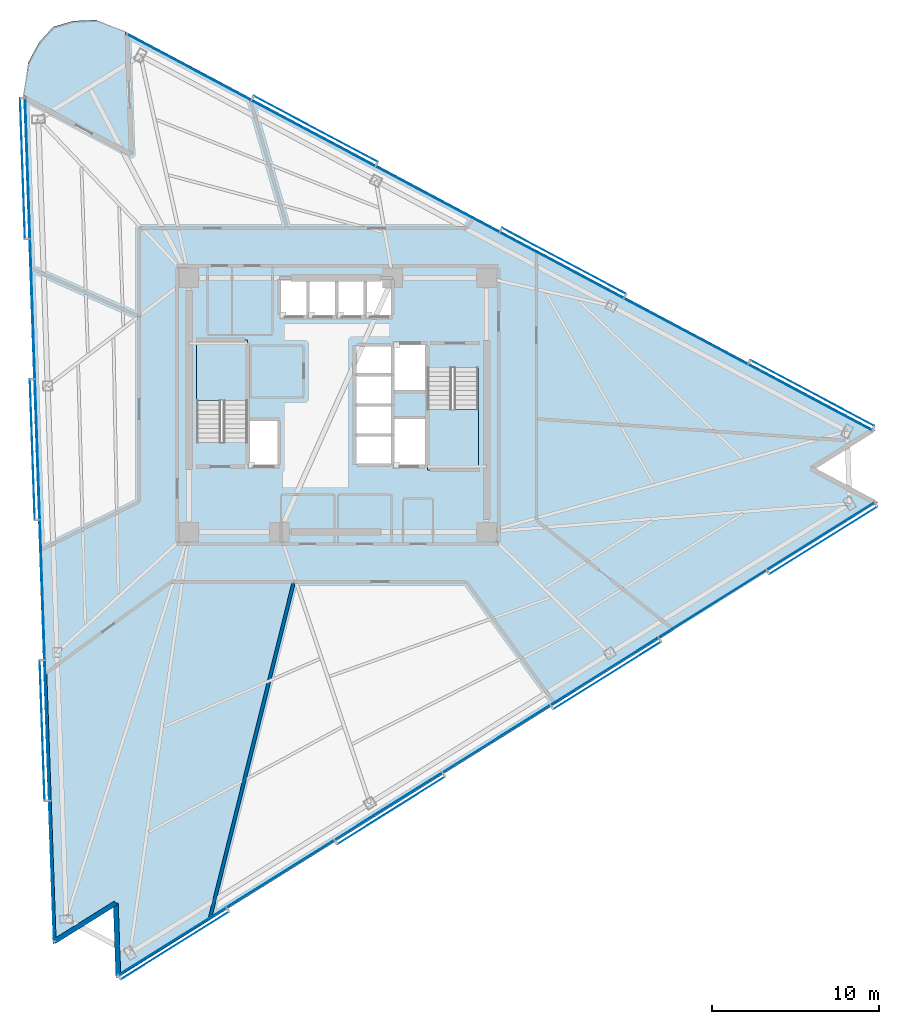
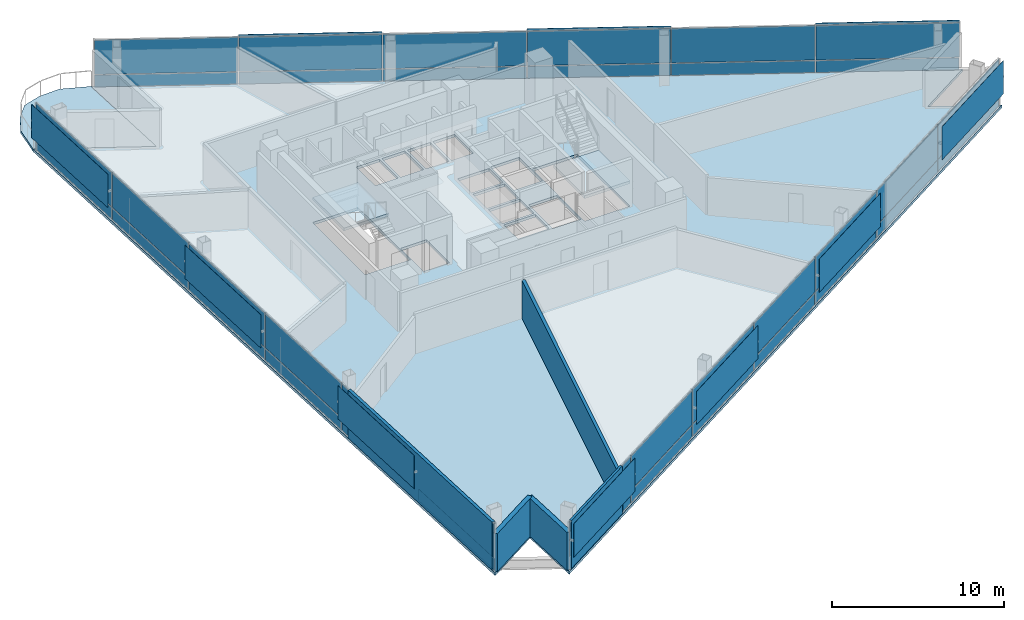
# One storey, part 11 of 21: 48 plates, 5 walls, 4 slabs, 5 elements without a shape of their own.
"""IFC4 building model written with IfcOpenShell, lengths in metres."""

import ifcopenshell
import ifcopenshell.guid

model = None  # the IFC model being written
_history = None  # IfcOwnerHistory: only IFC2X3 demands one
_inside = {}  # id of a spatial element -> (the spatial element, [elements in it])
_under = {}  # id of a project, library or spatial element -> (it, [spatial elements below it])
_declared = {}  # id of a project -> (the project, [libraries it declares])
_typed = {}  # id of a type object -> (the type object, [elements of that type])
_made_of = {}  # id of a material, layer set ... -> (it, [elements and type objects made of it])


def new_model(schema):
    """Start an empty IFC model of exactly this schema.

    Asked for "IFC4X3", IfcOpenShell would pick the latest addendum, in which some entities
    have other attributes; the version numbers below select the first issue.
    IFC2X3 requires an IfcOwnerHistory on every rooted entity: one is made here for all.
    """
    global model, _history
    if schema == "IFC4X3":
        model = ifcopenshell.file(schema_version=(4, 3, 0, 0))
    else:
        model = ifcopenshell.file(schema=schema)
    _inside.clear()
    _under.clear()
    _declared.clear()
    _typed.clear()
    _made_of.clear()
    _history = None
    if model.schema == "IFC2X3":
        org = make("IfcOrganization", Name="unknown")
        user = make(
            "IfcPersonAndOrganization",
            ThePerson=make("IfcPerson", FamilyName="unknown"),
            TheOrganization=org,
        )
        app = make(
            "IfcApplication",
            ApplicationDeveloper=org,
            Version="unknown",
            ApplicationFullName="unknown",
            ApplicationIdentifier="unknown",
        )
        _history = make(
            "IfcOwnerHistory",
            OwningUser=user,
            OwningApplication=app,
            ChangeAction="ADDED",
            CreationDate=0,
        )
    return model


def make(cls, **values):
    """One entity of the class cls with the attributes given. An attribute that is None is left unset."""
    return model.create_entity(
        cls, **{name: value for name, value in values.items() if value is not None}
    )


def rooted(cls, **values):
    """An entity with a GlobalId (a new one), such as an element, a storey or a relation."""
    return make(cls, GlobalId=ifcopenshell.guid.new(), OwnerHistory=_history, **values)


def si_unit(unit_type, name, prefix=None):
    """IfcSIUnit, for example si_unit("LENGTHUNIT", "METRE", prefix="MILLI")."""
    return make("IfcSIUnit", UnitType=unit_type, Prefix=prefix, Name=name)


def assignment(units):
    """IfcUnitAssignment: the units of a project."""
    return None if units is None else make("IfcUnitAssignment", Units=units)


def point(xyz):
    """IfcCartesianPoint."""
    return None if xyz is None else make("IfcCartesianPoint", Coordinates=xyz)


def direction(xyz):
    """IfcDirection."""
    return None if xyz is None else make("IfcDirection", DirectionRatios=xyz)


def frame(location, z_axis=None, x_axis=None):
    """IfcAxis2Placement3D, a coordinate frame: its origin and axes. An axis left out is left unset."""
    return make(
        "IfcAxis2Placement3D",
        Location=point(location),
        Axis=direction(z_axis),
        RefDirection=direction(x_axis),
    )


def frame_2d(location, x_axis=None):
    """IfcAxis2Placement2D, a coordinate frame in the plane: its origin and x axis."""
    return make(
        "IfcAxis2Placement2D", Location=point(location), RefDirection=direction(x_axis)
    )


def origin():
    """The frame at (0, 0, 0) with its axes left unset."""
    return frame((0.0, 0.0, 0.0))


def origin_2d():
    """The frame at (0, 0) in the plane with its x axis left unset."""
    return frame_2d((0.0, 0.0))


def place(relative_to, where):
    """IfcLocalPlacement: puts the frame where relative to a parent placement (None: the world)."""
    return make(
        "IfcLocalPlacement", PlacementRelTo=relative_to, RelativePlacement=where
    )


def context(
    kind, dimensions, precision=None, world=None, true_north=None, identifier=None
):
    """IfcGeometricRepresentationContext, for example the 3D "Model" context."""
    return make(
        "IfcGeometricRepresentationContext",
        ContextIdentifier=identifier,
        ContextType=kind,
        CoordinateSpaceDimension=dimensions,
        Precision=precision,
        WorldCoordinateSystem=world,
        TrueNorth=true_north,
    )


def subcontext(parent, identifier, kind, view, scale=None):
    """IfcGeometricRepresentationSubContext, for example "Body" below "Model"."""
    return make(
        "IfcGeometricRepresentationSubContext",
        ContextIdentifier=identifier,
        ContextType=kind,
        ParentContext=parent,
        TargetScale=scale,
        TargetView=view,
    )


def project(units=None, contexts=None):
    """IfcProject with its units and contexts."""
    return rooted(
        "IfcProject",
        Name="project",
        RepresentationContexts=contexts,
        UnitsInContext=assignment(units),
    )


def spatial(cls, under=None, at=None, **own):
    """A site, building, storey or space (cls), placed at a placement, below another one or the project."""
    s = rooted(cls, ObjectPlacement=at, **own)
    if under is not None:
        _under.setdefault(under.id(), (under, []))[1].append(s)
    return s


def polyline(points):
    """IfcPolyline through the points."""
    return make("IfcPolyline", Points=[point(p) for p in points])


def profile(cls, at=None, kind="AREA", **sizes):
    """A parametric profile (cls). Its sizes go by their IFC names, for example OverallWidth=200.0."""
    return make(cls, ProfileType=kind, Position=at, **sizes)


def rectangle(**sizes):
    """IfcRectangleProfileDef."""
    return profile("IfcRectangleProfileDef", **sizes)


def outline(outer, holes=None, kind="AREA"):
    """IfcArbitraryClosedProfileDef: a profile drawn as a closed curve; with holes, ...WithVoids."""
    if holes is None:
        return make("IfcArbitraryClosedProfileDef", ProfileType=kind, OuterCurve=outer)
    return make(
        "IfcArbitraryProfileDefWithVoids",
        ProfileType=kind,
        OuterCurve=outer,
        InnerCurves=holes,
    )


def extrude(swept, where, along, depth):
    """IfcExtrudedAreaSolid: the profile swept, set in the frame where, extruded along a direction by depth."""
    return make(
        "IfcExtrudedAreaSolid",
        SweptArea=swept,
        Position=where,
        ExtrudedDirection=direction(along),
        Depth=depth,
    )


def shape(context_of_items, identifier, shape_type, items):
    """IfcShapeRepresentation: the items that make up one representation, for example the "Body"."""
    return make(
        "IfcShapeRepresentation",
        ContextOfItems=context_of_items,
        RepresentationIdentifier=identifier,
        RepresentationType=shape_type,
        Items=items,
    )


def material(Name=None, Category=None):
    """IfcMaterial."""
    return make("IfcMaterial", Name=Name, Category=Category)


def layer(
    of_material, thickness, ventilated=None, Name=None, Category=None, Priority=None
):
    """IfcMaterialLayer: one layer of a wall or slab, of a material (None: an air gap)."""
    return make(
        "IfcMaterialLayer",
        Material=of_material,
        LayerThickness=thickness,
        IsVentilated=ventilated,
        Name=Name,
        Category=Category,
        Priority=Priority,
    )


def layer_set(layers, Name=None):
    """IfcMaterialLayerSet."""
    return make("IfcMaterialLayerSet", MaterialLayers=layers, LayerSetName=Name)


def made_of(thing, what):
    """Note that an element or type object is made of a material, layer set ...; save() writes the relation."""
    if what is not None:
        _made_of.setdefault(what.id(), (what, []))[1].append(thing)
    return thing


def type_object(cls, material=None, **own):
    """A type object (cls), such as IfcWallType, which elements share."""
    return made_of(rooted(cls, **own), material)


def element(
    cls,
    number,
    at=None,
    inside=None,
    cuts=None,
    type_object=None,
    material=None,
    context=None,
    identifier="Body",
    shape_type=None,
    held_by="IfcProductDefinitionShape",
    body=None,
    shapes=None,
    **own,
):
    """One element of the class cls, such as IfcWall. Its Tag is "e" and its number.

    at: its placement. inside: the storey or other place that contains it. cuts: it is an
    opening in that element (IfcRelVoidsElement). A single representation is given by context,
    identifier, shape_type and body (its items); several are given by shapes. held_by: the class
    of the entity that holds the representations. save() writes the other relations.
    """
    e = rooted(cls, Tag="e%d" % number, ObjectPlacement=at, **own)
    if body is not None:
        shapes = [shape(context, identifier, shape_type, body)]
    if shapes is not None:
        e.Representation = make(held_by, Representations=shapes)
    if inside is not None:
        _inside.setdefault(inside.id(), (inside, []))[1].append(e)
    if cuts is not None:
        rooted(
            "IfcRelVoidsElement", RelatingBuildingElement=cuts, RelatedOpeningElement=e
        )
    if type_object is not None:
        _typed.setdefault(type_object.id(), (type_object, []))[1].append(e)
    return made_of(e, material)


def aggregate(whole, parts):
    """IfcRelAggregates: a whole, such as a stair, and the parts it consists of."""
    return rooted("IfcRelAggregates", RelatingObject=whole, RelatedObjects=parts)


def save(model, path):
    """Write the relations noted so far, then the file.

    IfcRelAggregates (storeys below a building ...), IfcRelContainedInSpatialStructure (elements
    in a storey), IfcRelDefinesByType, IfcRelAssociatesMaterial and IfcRelDeclares: one each for
    every whole, place, type object, material and project.
    """
    for whole, parts in _under.values():
        aggregate(whole, parts)
    for where, things in _inside.values():
        rooted(
            "IfcRelContainedInSpatialStructure",
            RelatedElements=things,
            RelatingStructure=where,
        )
    for kind, things in _typed.values():
        rooted("IfcRelDefinesByType", RelatedObjects=things, RelatingType=kind)
    for what, things in _made_of.values():
        rooted("IfcRelAssociatesMaterial", RelatedObjects=things, RelatingMaterial=what)
    for by, libraries in _declared.values():
        rooted("IfcRelDeclares", RelatingContext=by, RelatedDefinitions=libraries)
    model.write(path)


model = new_model("IFC4")

# Units and contexts
model_context = context("Model", 3, precision=1e-05, world=origin(), true_north=direction((0.0, 1.0)))
body_context = subcontext(model_context, "Body", "Model", "MODEL_VIEW")
ifc_project = project(units=[si_unit("LENGTHUNIT", "METRE"), si_unit("AREAUNIT", "SQUARE_METRE"), si_unit("VOLUMEUNIT", "CUBIC_METRE"), si_unit("PLANEANGLEUNIT", "RADIAN"), si_unit("MASSUNIT", "GRAM", prefix="KILO")], contexts=[model_context])

# Site, building, storey
site_placement = place(None, origin())
site = spatial("IfcSite", under=ifc_project, at=site_placement, CompositionType="ELEMENT")
building_placement = place(site_placement, origin())
building = spatial("IfcBuilding", under=site, at=building_placement, Name="Tharavind Bronze Gate", CompositionType="ELEMENT")
storey_placement = place(building_placement, frame((0.0, 0.0, 142.39990234375)))
storey = spatial("IfcBuildingStorey", under=building, at=storey_placement, Name="L36", CompositionType="ELEMENT", Elevation=142.39990234375)

# Plates
ifc_material_1 = material(Name="Perforated Bronze Alloy", Category="bronze")
ifc_layer_1 = layer(ifc_material_1, 0.011962890625)
ifc_layer_set_1 = layer_set([ifc_layer_1], Name="Perforated Bronze Alloy")
plate_type_1 = type_object("IfcPlateType", Name="BRONZE PERFORATED SOLAR SCREEN", PredefinedType="USERDEFINED", material=ifc_layer_set_1)
for number, where, z_axis, x_axis, name in (
    (1, (-18.867919921875, 14.1494140625, 0.966552734375), (0.0, 0.0, 1.0), (0.034899496703, -0.999390827019, 0.0), "CW-L36-S1 perforated bronze solar screen 1"),
    (2, (-18.280517578125, -2.66943359375, 0.966552734375), (0.0, 0.0, 1.0), (0.034899496703, -0.999390827019, 0.0), "CW-L36-S1 perforated bronze solar screen 3"),
    (3, (-17.693115234375, -19.48828125, 0.966552734375), (0.0, 0.0, 1.0), (0.034899496703, -0.999390827019, 0.0), "CW-L36-S1 perforated bronze solar screen 5"),
):
    element("IfcPlate", number, at=place(storey_placement, frame(where, z_axis=z_axis, x_axis=x_axis)), inside=storey, type_object=plate_type_1, Name=name, ObjectType="SCREEN", PredefinedType="USERDEFINED", context=body_context, shape_type="SweptSolid", body=[
        extrude(rectangle(XDim=8.39453125, YDim=0.011962890625, at=origin_2d()), origin(), (0.0, 0.0, 1.0), 2.376953125),
    ])
for number, where, z_axis, x_axis, name in (
    (4, (-9.75439453125, -32.3505859375, 0.966552734375), (0.0, 0.0, 1.0), (0.848048096156, 0.529919264233, 0.0), "CW-L36-S2 perforated bronze solar screen 1"),
    (5, (3.176513671875, -24.2705078125, 0.966552734375), (0.0, 0.0, 1.0), (0.848048096156, 0.529919264233, 0.0), "CW-L36-S2 perforated bronze solar screen 3"),
    (6, (16.107421875, -16.190185546875, 0.966552734375), (0.0, 0.0, 1.0), (0.848048096156, 0.529919264233, 0.0), "CW-L36-S2 perforated bronze solar screen 5"),
    (7, (29.0380859375, -8.110107421875, 0.966552734375), (0.0, 0.0, 1.0), (0.848048096156, 0.529919264233, 0.0), "CW-L36-S2 perforated bronze solar screen 7"),
):
    element("IfcPlate", number, at=place(storey_placement, frame(where, z_axis=z_axis, x_axis=x_axis)), inside=storey, type_object=plate_type_1, Name=name, ObjectType="SCREEN", PredefinedType="USERDEFINED", context=body_context, shape_type="SweptSolid", body=[
        extrude(rectangle(XDim=7.60400390625, YDim=0.011962890625, at=origin_2d()), origin(), (0.0, 0.0, 1.0), 2.376953125),
    ])
for number, where, z_axis, x_axis, name in (
    (8, (28.387451171875, 0.713134765625, 0.966552734375), (0.0, 0.0, 1.0), (-0.882947592859, 0.469471562786, 0.0), "CW-L36-S3 perforated bronze solar screen 1"),
    (9, (13.5283203125, 8.614013671875, 0.966552734375), (0.0, 0.0, 1.0), (-0.882947592859, 0.469471562786, 0.0), "CW-L36-S3 perforated bronze solar screen 3"),
    (10, (-1.3310546875, 16.514892578125, 0.966552734375), (0.0, 0.0, 1.0), (-0.882947592859, 0.469471562786, 0.0), "CW-L36-S3 perforated bronze solar screen 5"),
):
    element("IfcPlate", number, at=place(storey_placement, frame(where, z_axis=z_axis, x_axis=x_axis)), inside=storey, type_object=plate_type_1, Name=name, ObjectType="SCREEN", PredefinedType="USERDEFINED", context=body_context, shape_type="SweptSolid", body=[
        extrude(rectangle(XDim=8.39453125, YDim=0.011962890625, at=origin_2d()), origin(), (0.0, 0.0, 1.0), 2.376953125),
    ])

# Curtain wall, plates
ifc_material_2 = material(Name="Anodised Bronze Aluminium", Category="aluminium")
ifc_layer_2 = layer(ifc_material_2, 0.219970703125)
ifc_layer_set_2 = layer_set([ifc_layer_2], Name="Anodised Bronze Aluminium")
curtain_wall_type = type_object("IfcCurtainWallType", Name="UNITISED CURTAIN WALL MID OFFICE", PredefinedType="USERDEFINED", material=ifc_layer_set_2)
curtain_wall_1_placement = place(storey_placement, origin())
curtain_wall_1 = element("IfcCurtainWall", 11, at=curtain_wall_1_placement, inside=storey, type_object=curtain_wall_type, Name="L36 unitised curtain wall mid office CW-L36-S1", ObjectType="UNITISED CURTAIN WALL", PredefinedType="USERDEFINED")
ifc_material_3 = material(Name="Patinated Bronze Alloy Sheet", Category="bronze")
ifc_layer_3 = layer(ifc_material_3, 0.01611328125)
ifc_layer_set_3 = layer_set([ifc_layer_3], Name="Patinated Bronze Alloy Sheet")
plate_type_2 = type_object("IfcPlateType", Name="BRONZE SPANDREL CLADDING PANEL 16", PredefinedType="CURTAIN_PANEL", material=ifc_layer_set_3)
plate_1_placement = place(storey_placement, frame((-18.572998046875, 14.159912109375, 0.02685546875), z_axis=(0.0, 0.0, 1.0), x_axis=(0.034899496703, -0.999390827019, 0.0)))
plate_1 = element("IfcPlate", 12, at=plate_1_placement, type_object=plate_type_2, Name="CW-L36-S1 bronze spandrel panel 1", PredefinedType="CURTAIN_PANEL", context=body_context, shape_type="SweptSolid", body=[
    extrude(rectangle(XDim=8.361572265625, YDim=0.01611328125, at=origin_2d()), origin(), (0.0, 0.0, 1.0), 0.846923828125),
])
plate_2_placement = place(storey_placement, frame((-18.279296875, 5.750244140625, 0.02685546875), z_axis=(0.0, 0.0, 1.0), x_axis=(0.034899496703, -0.999390827019, 0.0)))
plate_2 = element("IfcPlate", 13, at=plate_2_placement, type_object=plate_type_2, Name="CW-L36-S1 bronze spandrel panel 2", PredefinedType="CURTAIN_PANEL", context=body_context, shape_type="SweptSolid", body=[
    extrude(rectangle(XDim=8.361572265625, YDim=0.01611328125, at=origin_2d()), origin(), (0.0, 0.0, 1.0), 0.846923828125),
])
plate_3_placement = place(storey_placement, frame((-17.985595703125, -2.6591796875, 0.02685546875), z_axis=(0.0, 0.0, 1.0), x_axis=(0.034899496703, -0.999390827019, 0.0)))
plate_3 = element("IfcPlate", 14, at=plate_3_placement, type_object=plate_type_2, Name="CW-L36-S1 bronze spandrel panel 3", PredefinedType="CURTAIN_PANEL", context=body_context, shape_type="SweptSolid", body=[
    extrude(rectangle(XDim=8.361572265625, YDim=0.01611328125, at=origin_2d()), origin(), (0.0, 0.0, 1.0), 0.846923828125),
])
plate_4_placement = place(storey_placement, frame((-17.69189453125, -11.068603515625, 0.02685546875), z_axis=(0.0, 0.0, 1.0), x_axis=(0.034899496703, -0.999390827019, 0.0)))
plate_4 = element("IfcPlate", 15, at=plate_4_placement, type_object=plate_type_2, Name="CW-L36-S1 bronze spandrel panel 4", PredefinedType="CURTAIN_PANEL", context=body_context, shape_type="SweptSolid", body=[
    extrude(rectangle(XDim=8.361572265625, YDim=0.01611328125, at=origin_2d()), origin(), (0.0, 0.0, 1.0), 0.846923828125),
])
plate_5_placement = place(storey_placement, frame((-17.398193359375, -19.477783203125, 0.02685546875), z_axis=(0.0, 0.0, 1.0), x_axis=(0.034899496703, -0.999390827019, 0.0)))
plate_5 = element("IfcPlate", 16, at=plate_5_placement, type_object=plate_type_2, Name="CW-L36-S1 bronze spandrel panel 5", PredefinedType="CURTAIN_PANEL", context=body_context, shape_type="SweptSolid", body=[
    extrude(rectangle(XDim=8.361572265625, YDim=0.01611328125, at=origin_2d()), origin(), (0.0, 0.0, 1.0), 0.846923828125),
])
plate_6_placement = place(storey_placement, frame((-17.1044921875, -27.887451171875, 0.02685546875), z_axis=(0.0, 0.0, 1.0), x_axis=(0.034899496703, -0.999390827019, 0.0)))
plate_6 = element("IfcPlate", 17, at=plate_6_placement, type_object=plate_type_2, Name="CW-L36-S1 bronze spandrel panel 6", PredefinedType="CURTAIN_PANEL", context=body_context, shape_type="SweptSolid", body=[
    extrude(rectangle(XDim=8.361572265625, YDim=0.01611328125, at=origin_2d()), origin(), (0.0, 0.0, 1.0), 0.846923828125),
])

curtain_wall_2_placement = place(storey_placement, origin())
curtain_wall_2 = element("IfcCurtainWall", 18, at=curtain_wall_2_placement, inside=storey, type_object=curtain_wall_type, Name="L36 unitised curtain wall mid office CW-L36-S2", ObjectType="UNITISED CURTAIN WALL", PredefinedType="USERDEFINED")
plate_7_placement = place(storey_placement, frame((-9.910888671875, -32.100341796875, 0.02685546875), z_axis=(0.0, 0.0, 1.0), x_axis=(0.848048096156, 0.529919264233, 0.0)))
plate_7 = element("IfcPlate", 19, at=plate_7_placement, type_object=plate_type_2, Name="CW-L36-S2 bronze spandrel panel 1", PredefinedType="CURTAIN_PANEL", context=body_context, shape_type="SweptSolid", body=[
    extrude(rectangle(XDim=7.57080078125, YDim=0.01611328125, at=origin_2d()), origin(), (0.0, 0.0, 1.0), 0.846923828125),
])
plate_8_placement = place(storey_placement, frame((-3.4453125, -28.060302734375, 0.02685546875), z_axis=(0.0, 0.0, 1.0), x_axis=(0.848048096156, 0.529919264233, 0.0)))
plate_8 = element("IfcPlate", 20, at=plate_8_placement, type_object=plate_type_2, Name="CW-L36-S2 bronze spandrel panel 2", PredefinedType="CURTAIN_PANEL", context=body_context, shape_type="SweptSolid", body=[
    extrude(rectangle(XDim=7.57080078125, YDim=0.01611328125, at=origin_2d()), origin(), (0.0, 0.0, 1.0), 0.846923828125),
])
plate_9_placement = place(storey_placement, frame((3.02001953125, -24.020263671875, 0.02685546875), z_axis=(0.0, 0.0, 1.0), x_axis=(0.848048096156, 0.529919264233, 0.0)))
plate_9 = element("IfcPlate", 21, at=plate_9_placement, type_object=plate_type_2, Name="CW-L36-S2 bronze spandrel panel 3", PredefinedType="CURTAIN_PANEL", context=body_context, shape_type="SweptSolid", body=[
    extrude(rectangle(XDim=7.57080078125, YDim=0.01611328125, at=origin_2d()), origin(), (0.0, 0.0, 1.0), 0.846923828125),
])
plate_10_placement = place(storey_placement, frame((9.485595703125, -19.97998046875, 0.02685546875), z_axis=(0.0, 0.0, 1.0), x_axis=(0.848048096156, 0.529919264233, 0.0)))
plate_10 = element("IfcPlate", 22, at=plate_10_placement, type_object=plate_type_2, Name="CW-L36-S2 bronze spandrel panel 4", PredefinedType="CURTAIN_PANEL", context=body_context, shape_type="SweptSolid", body=[
    extrude(rectangle(XDim=7.57080078125, YDim=0.01611328125, at=origin_2d()), origin(), (0.0, 0.0, 1.0), 0.846923828125),
])
plate_11_placement = place(storey_placement, frame((15.950927734375, -15.93994140625, 0.02685546875), z_axis=(0.0, 0.0, 1.0), x_axis=(0.848048096156, 0.529919264233, 0.0)))
plate_11 = element("IfcPlate", 23, at=plate_11_placement, type_object=plate_type_2, Name="CW-L36-S2 bronze spandrel panel 5", PredefinedType="CURTAIN_PANEL", context=body_context, shape_type="SweptSolid", body=[
    extrude(rectangle(XDim=7.57080078125, YDim=0.01611328125, at=origin_2d()), origin(), (0.0, 0.0, 1.0), 0.846923828125),
])
plate_12_placement = place(storey_placement, frame((22.41650390625, -11.89990234375, 0.02685546875), z_axis=(0.0, 0.0, 1.0), x_axis=(0.848048096156, 0.529919264233, 0.0)))
plate_12 = element("IfcPlate", 24, at=plate_12_placement, type_object=plate_type_2, Name="CW-L36-S2 bronze spandrel panel 6", PredefinedType="CURTAIN_PANEL", context=body_context, shape_type="SweptSolid", body=[
    extrude(rectangle(XDim=7.57080078125, YDim=0.01611328125, at=origin_2d()), origin(), (0.0, 0.0, 1.0), 0.846923828125),
])
plate_13_placement = place(storey_placement, frame((28.8818359375, -7.85986328125, 0.02685546875), z_axis=(0.0, 0.0, 1.0), x_axis=(0.848048096156, 0.529919264233, 0.0)))
plate_13 = element("IfcPlate", 25, at=plate_13_placement, type_object=plate_type_2, Name="CW-L36-S2 bronze spandrel panel 7", PredefinedType="CURTAIN_PANEL", context=body_context, shape_type="SweptSolid", body=[
    extrude(rectangle(XDim=7.57080078125, YDim=0.01611328125, at=origin_2d()), origin(), (0.0, 0.0, 1.0), 0.846923828125),
])

curtain_wall_3_placement = place(storey_placement, origin())
curtain_wall_3 = element("IfcCurtainWall", 26, at=curtain_wall_3_placement, inside=storey, type_object=curtain_wall_type, Name="L36 unitised curtain wall mid office CW-L36-S3", ObjectType="UNITISED CURTAIN WALL", PredefinedType="USERDEFINED")
plate_14_placement = place(storey_placement, frame((28.2490234375, 0.45263671875, 0.02685546875), z_axis=(0.0, 0.0, 1.0), x_axis=(-0.882947592859, 0.469471562786, 0.0)))
plate_14 = element("IfcPlate", 27, at=plate_14_placement, type_object=plate_type_2, Name="CW-L36-S3 bronze spandrel panel 1", PredefinedType="CURTAIN_PANEL", context=body_context, shape_type="SweptSolid", body=[
    extrude(rectangle(XDim=8.361572265625, YDim=0.01611328125, at=origin_2d()), origin(), (0.0, 0.0, 1.0), 0.846923828125),
])
plate_15_placement = place(storey_placement, frame((20.8193359375, 4.403076171875, 0.02685546875), z_axis=(0.0, 0.0, 1.0), x_axis=(-0.882947592859, 0.469471562786, 0.0)))
plate_15 = element("IfcPlate", 28, at=plate_15_placement, type_object=plate_type_2, Name="CW-L36-S3 bronze spandrel panel 2", PredefinedType="CURTAIN_PANEL", context=body_context, shape_type="SweptSolid", body=[
    extrude(rectangle(XDim=8.361572265625, YDim=0.01611328125, at=origin_2d()), origin(), (0.0, 0.0, 1.0), 0.846923828125),
])
plate_16_placement = place(storey_placement, frame((13.389892578125, 8.353515625, 0.02685546875), z_axis=(0.0, 0.0, 1.0), x_axis=(-0.882947592859, 0.469471562786, 0.0)))
plate_16 = element("IfcPlate", 29, at=plate_16_placement, type_object=plate_type_2, Name="CW-L36-S3 bronze spandrel panel 3", PredefinedType="CURTAIN_PANEL", context=body_context, shape_type="SweptSolid", body=[
    extrude(rectangle(XDim=8.361572265625, YDim=0.01611328125, at=origin_2d()), origin(), (0.0, 0.0, 1.0), 0.846923828125),
])
plate_17_placement = place(storey_placement, frame((5.960205078125, 12.303955078125, 0.02685546875), z_axis=(0.0, 0.0, 1.0), x_axis=(-0.882947592859, 0.469471562786, 0.0)))
plate_17 = element("IfcPlate", 30, at=plate_17_placement, type_object=plate_type_2, Name="CW-L36-S3 bronze spandrel panel 4", PredefinedType="CURTAIN_PANEL", context=body_context, shape_type="SweptSolid", body=[
    extrude(rectangle(XDim=8.361572265625, YDim=0.01611328125, at=origin_2d()), origin(), (0.0, 0.0, 1.0), 0.846923828125),
])
plate_18_placement = place(storey_placement, frame((-1.469482421875, 16.25439453125, 0.02685546875), z_axis=(0.0, 0.0, 1.0), x_axis=(-0.882947592859, 0.469471562786, 0.0)))
plate_18 = element("IfcPlate", 31, at=plate_18_placement, type_object=plate_type_2, Name="CW-L36-S3 bronze spandrel panel 5", PredefinedType="CURTAIN_PANEL", context=body_context, shape_type="SweptSolid", body=[
    extrude(rectangle(XDim=8.361572265625, YDim=0.01611328125, at=origin_2d()), origin(), (0.0, 0.0, 1.0), 0.846923828125),
])
plate_19_placement = place(storey_placement, frame((-8.899169921875, 20.20458984375, 0.02685546875), z_axis=(0.0, 0.0, 1.0), x_axis=(-0.882947592859, 0.469471562786, 0.0)))
plate_19 = element("IfcPlate", 32, at=plate_19_placement, type_object=plate_type_2, Name="CW-L36-S3 bronze spandrel panel 6", PredefinedType="CURTAIN_PANEL", context=body_context, shape_type="SweptSolid", body=[
    extrude(rectangle(XDim=8.361572265625, YDim=0.01611328125, at=origin_2d()), origin(), (0.0, 0.0, 1.0), 0.846923828125),
])

# Slab
ifc_material_4 = material(Name="Concrete C40/50", Category="concrete")
ifc_layer_4 = layer(ifc_material_4, 0.179931640625)
ifc_layer_set_4 = layer_set([ifc_layer_4], Name="Concrete C40/50")
slab_type_1 = type_object("IfcSlabType", Name="EXTERIOR BALCONY SLAB 180", PredefinedType="FLOOR", material=ifc_layer_set_4)
slab_1_placement = place(storey_placement, frame((0.0, 0.0, -0.179931640625)))
element("IfcSlab", 33, at=slab_1_placement, inside=storey, type_object=slab_type_1, Name="L36 northeast tree balcony slab", PredefinedType="FLOOR", context=body_context, shape_type="SweptSolid", body=[
    extrude(outline(polyline([(-14.45654296875, 23.033203125), (-15.835693359375, 22.975830078125), (-17.032470703125, 22.626220703125), (-17.87109375, 21.7041015625), (-18.527099609375, 20.489501953125), (-18.82568359375, 18.5341796875), (-12.468505859375, 15.15380859375), (-12.719970703125, 22.349609375), (-14.45654296875, 23.033203125)])), origin(), (0.0, 0.0, 1.0), 0.179931640625),
])

# Stair, slab
stair_type = type_object("IfcStairType", Name="CORE HALF TURN STAIR 1450", PredefinedType="HALF_TURN_STAIR", material=ifc_material_4)
stair_1_placement = place(storey_placement, origin())
stair_1 = element("IfcStair", 34, at=stair_1_placement, inside=storey, type_object=stair_type, Name="L36 Protected Exit Stair ST1", PredefinedType="HALF_TURN_STAIR")
ifc_layer_5 = layer(ifc_material_4, 0.199951171875)
ifc_layer_set_5 = layer_set([ifc_layer_5], Name="Concrete C40/50")
slab_type_2 = type_object("IfcSlabType", Name="STAIR LANDING SLAB 200", PredefinedType="LANDING", material=ifc_layer_set_5)
slab_2_placement = place(storey_placement, frame((0.0, 0.0, 1.60009765625)))
slab_2 = element("IfcSlab", 35, at=slab_2_placement, type_object=slab_type_2, Name="ST1 landing 1", PredefinedType="LANDING", context=body_context, shape_type="SweptSolid", body=[
    extrude(outline(polyline([(-5.39990234375, 0.27001953125), (-5.39990234375, 3.89990234375), (-8.449951171875, 3.89990234375), (-8.449951171875, 0.27001953125), (-5.39990234375, 0.27001953125)])), origin(), (0.0, 0.0, 1.0), 0.199951171875),
])
aggregate(stair_1, [slab_2])

stair_2_placement = place(storey_placement, origin())
stair_2 = element("IfcStair", 36, at=stair_2_placement, inside=storey, type_object=stair_type, Name="L36 Protected Exit Stair ST2", PredefinedType="HALF_TURN_STAIR")
slab_3_placement = place(storey_placement, frame((0.0, 0.0, 1.60009765625)))
slab_3 = element("IfcSlab", 37, at=slab_3_placement, type_object=slab_type_2, Name="ST2 landing 1", PredefinedType="LANDING", context=body_context, shape_type="SweptSolid", body=[
    extrude(outline(polyline([(5.35009765625, -0.27001953125), (5.35009765625, -3.89990234375), (8.39990234375, -3.89990234375), (8.39990234375, -0.27001953125), (5.35009765625, -0.27001953125)])), origin(), (0.0, 0.0, 1.0), 0.199951171875),
])
aggregate(stair_2, [slab_3])

# Slab
ifc_layer_6 = layer(ifc_material_4, 0.18994140625)
ifc_layer_set_6 = layer_set([ifc_layer_6], Name="Concrete C40/50")
slab_type_3 = type_object("IfcSlabType", Name="STRUCTURAL FLOOR SLAB 190", PredefinedType="FLOOR", material=ifc_layer_set_6)
slab_4_placement = place(storey_placement, frame((0.0, 0.0, -0.18994140625)))
element("IfcSlab", 38, at=slab_4_placement, inside=storey, type_object=slab_type_3, Name="L36 main structural floor slab", PredefinedType="FLOOR", context=body_context, shape_type="SweptSolid", body=[
    extrude(outline(polyline([(-12.719970703125, 22.349609375), (-12.468505859375, 15.15380859375), (-18.82568359375, 18.5341796875), (-17.0517578125, -32.268798828125), (-13.38818359375, -29.9794921875), (-13.2373046875, -34.296875), (32.314453125, -5.8330078125), (28.500244140625, -3.8046875), (32.163818359375, -1.515380859375), (-12.719970703125, 22.349609375)]), holes=[polyline([(-5.39990234375, -2.215087890625), (-5.39990234375, 3.89990234375), (-8.449951171875, 3.89990234375), (-8.449951171875, -2.215087890625), (-5.39990234375, -2.215087890625)]), polyline([(5.35009765625, 2.215087890625), (5.35009765625, -3.89990234375), (8.39990234375, -3.89990234375), (8.39990234375, 2.215087890625), (5.35009765625, 2.215087890625)]), polyline([(-3.419921875, 5.330078125), (-1.867431640625, 5.330078125), (-1.867431640625, 7.52001953125), (-3.419921875, 7.52001953125), (-3.419921875, 5.330078125)]), polyline([(-1.70751953125, 5.330078125), (-0.155029296875, 5.330078125), (-0.155029296875, 7.52001953125), (-1.70751953125, 7.52001953125), (-1.70751953125, 5.330078125)]), polyline([(0.0048828125, 5.330078125), (1.5576171875, 5.330078125), (1.5576171875, 7.52001953125), (0.0048828125, 7.52001953125), (0.0048828125, 5.330078125)]), polyline([(1.717529296875, 5.330078125), (3.199951171875, 5.330078125), (3.199951171875, 7.52001953125), (1.717529296875, 7.52001953125), (1.717529296875, 5.330078125)]), polyline([(1.080078125, -3.52001953125), (3.199951171875, -3.52001953125), (3.199951171875, -1.8798828125), (1.080078125, -1.8798828125), (1.080078125, -3.52001953125)]), polyline([(1.080078125, -1.719970703125), (3.199951171875, -1.719970703125), (3.199951171875, -0.080078125), (1.080078125, -0.080078125), (1.080078125, -1.719970703125)]), polyline([(1.080078125, 0.080078125), (3.199951171875, 0.080078125), (3.199951171875, 1.719970703125), (1.080078125, 1.719970703125), (1.080078125, 0.080078125)]), polyline([(1.080078125, 1.8798828125), (3.199951171875, 1.8798828125), (3.199951171875, 3.52001953125), (1.080078125, 3.52001953125), (1.080078125, 1.8798828125)]), polyline([(-5.320068359375, -3.6201171875), (-3.580078125, -3.6201171875), (-3.580078125, -0.929931640625), (-5.320068359375, -0.929931640625), (-5.320068359375, -3.6201171875)]), polyline([(3.360107421875, 0.8798828125), (5.27001953125, 0.8798828125), (5.27001953125, 3.6201171875), (3.360107421875, 3.6201171875), (3.360107421875, 0.8798828125)]), polyline([(3.360107421875, -3.6201171875), (5.27001953125, -3.6201171875), (5.27001953125, -0.830078125), (3.360107421875, -0.830078125), (3.360107421875, -3.6201171875)])]), origin(), (0.0, 0.0, 1.0), 0.18994140625),
])

# Plate
ifc_material_5 = material(Name="Triple Solar Control Glazing", Category="glass")
ifc_layer_7 = layer(ifc_material_5, 0.0439453125)
ifc_layer_set_7 = layer_set([ifc_layer_7], Name="Triple Solar Control Glazing")
plate_type_3 = type_object("IfcPlateType", Name="TRIPLE GLAZED FACADE PANEL 44", PredefinedType="CURTAIN_PANEL", material=ifc_layer_set_7)
plate_20_placement = place(storey_placement, frame((-18.572998046875, 14.159912109375, 0.926513671875), z_axis=(0.0, 0.0, 1.0), x_axis=(0.034899496703, -0.999390827019, 0.0)))
plate_20 = element("IfcPlate", 39, at=plate_20_placement, type_object=plate_type_3, Name="CW-L36-S1 vision glazing panel 1", PredefinedType="CURTAIN_PANEL", context=body_context, shape_type="SweptSolid", body=[
    extrude(rectangle(XDim=8.361572265625, YDim=0.0439453125, at=origin_2d()), origin(), (0.0, 0.0, 1.0), 2.45703125),
])

plate_21_placement = place(storey_placement, frame((-18.279296875, 5.750244140625, 0.926513671875), z_axis=(0.0, 0.0, 1.0), x_axis=(0.034899496703, -0.999390827019, 0.0)))
plate_21 = element("IfcPlate", 40, at=plate_21_placement, type_object=plate_type_3, Name="CW-L36-S1 vision glazing panel 2", PredefinedType="CURTAIN_PANEL", context=body_context, shape_type="SweptSolid", body=[
    extrude(rectangle(XDim=8.361572265625, YDim=0.0439453125, at=origin_2d()), origin(), (0.0, 0.0, 1.0), 2.45703125),
])

plate_22_placement = place(storey_placement, frame((-17.985595703125, -2.6591796875, 0.926513671875), z_axis=(0.0, 0.0, 1.0), x_axis=(0.034899496703, -0.999390827019, 0.0)))
plate_22 = element("IfcPlate", 41, at=plate_22_placement, type_object=plate_type_3, Name="CW-L36-S1 vision glazing panel 3", PredefinedType="CURTAIN_PANEL", context=body_context, shape_type="SweptSolid", body=[
    extrude(rectangle(XDim=8.361572265625, YDim=0.0439453125, at=origin_2d()), origin(), (0.0, 0.0, 1.0), 2.45703125),
])

plate_23_placement = place(storey_placement, frame((-17.69189453125, -11.068603515625, 0.926513671875), z_axis=(0.0, 0.0, 1.0), x_axis=(0.034899496703, -0.999390827019, 0.0)))
plate_23 = element("IfcPlate", 42, at=plate_23_placement, type_object=plate_type_3, Name="CW-L36-S1 vision glazing panel 4", PredefinedType="CURTAIN_PANEL", context=body_context, shape_type="SweptSolid", body=[
    extrude(rectangle(XDim=8.361572265625, YDim=0.0439453125, at=origin_2d()), origin(), (0.0, 0.0, 1.0), 2.45703125),
])

plate_24_placement = place(storey_placement, frame((-17.398193359375, -19.477783203125, 0.926513671875), z_axis=(0.0, 0.0, 1.0), x_axis=(0.034899496703, -0.999390827019, 0.0)))
plate_24 = element("IfcPlate", 43, at=plate_24_placement, type_object=plate_type_3, Name="CW-L36-S1 vision glazing panel 5", PredefinedType="CURTAIN_PANEL", context=body_context, shape_type="SweptSolid", body=[
    extrude(rectangle(XDim=8.361572265625, YDim=0.0439453125, at=origin_2d()), origin(), (0.0, 0.0, 1.0), 2.45703125),
])

plate_25_placement = place(storey_placement, frame((-17.1044921875, -27.887451171875, 0.926513671875), z_axis=(0.0, 0.0, 1.0), x_axis=(0.034899496703, -0.999390827019, 0.0)))
plate_25 = element("IfcPlate", 44, at=plate_25_placement, type_object=plate_type_3, Name="CW-L36-S1 vision glazing panel 6", PredefinedType="CURTAIN_PANEL", context=body_context, shape_type="SweptSolid", body=[
    extrude(rectangle(XDim=8.361572265625, YDim=0.0439453125, at=origin_2d()), origin(), (0.0, 0.0, 1.0), 2.45703125),
])

aggregate(curtain_wall_1, [plate_1, plate_20, plate_2, plate_21, plate_3, plate_22, plate_4, plate_23, plate_5, plate_24, plate_6, plate_25])

plate_26_placement = place(storey_placement, frame((-9.910888671875, -32.100341796875, 0.926513671875), z_axis=(0.0, 0.0, 1.0), x_axis=(0.848048096156, 0.529919264233, 0.0)))
plate_26 = element("IfcPlate", 45, at=plate_26_placement, type_object=plate_type_3, Name="CW-L36-S2 vision glazing panel 1", PredefinedType="CURTAIN_PANEL", context=body_context, shape_type="SweptSolid", body=[
    extrude(rectangle(XDim=7.57080078125, YDim=0.0439453125, at=origin_2d()), origin(), (0.0, 0.0, 1.0), 2.45703125),
])

plate_27_placement = place(storey_placement, frame((-3.4453125, -28.060302734375, 0.926513671875), z_axis=(0.0, 0.0, 1.0), x_axis=(0.848048096156, 0.529919264233, 0.0)))
plate_27 = element("IfcPlate", 46, at=plate_27_placement, type_object=plate_type_3, Name="CW-L36-S2 vision glazing panel 2", PredefinedType="CURTAIN_PANEL", context=body_context, shape_type="SweptSolid", body=[
    extrude(rectangle(XDim=7.57080078125, YDim=0.0439453125, at=origin_2d()), origin(), (0.0, 0.0, 1.0), 2.45703125),
])

plate_28_placement = place(storey_placement, frame((3.02001953125, -24.020263671875, 0.926513671875), z_axis=(0.0, 0.0, 1.0), x_axis=(0.848048096156, 0.529919264233, 0.0)))
plate_28 = element("IfcPlate", 47, at=plate_28_placement, type_object=plate_type_3, Name="CW-L36-S2 vision glazing panel 3", PredefinedType="CURTAIN_PANEL", context=body_context, shape_type="SweptSolid", body=[
    extrude(rectangle(XDim=7.57080078125, YDim=0.0439453125, at=origin_2d()), origin(), (0.0, 0.0, 1.0), 2.45703125),
])

plate_29_placement = place(storey_placement, frame((9.485595703125, -19.97998046875, 0.926513671875), z_axis=(0.0, 0.0, 1.0), x_axis=(0.848048096156, 0.529919264233, 0.0)))
plate_29 = element("IfcPlate", 48, at=plate_29_placement, type_object=plate_type_3, Name="CW-L36-S2 vision glazing panel 4", PredefinedType="CURTAIN_PANEL", context=body_context, shape_type="SweptSolid", body=[
    extrude(rectangle(XDim=7.57080078125, YDim=0.0439453125, at=origin_2d()), origin(), (0.0, 0.0, 1.0), 2.45703125),
])

plate_30_placement = place(storey_placement, frame((15.950927734375, -15.93994140625, 0.926513671875), z_axis=(0.0, 0.0, 1.0), x_axis=(0.848048096156, 0.529919264233, 0.0)))
plate_30 = element("IfcPlate", 49, at=plate_30_placement, type_object=plate_type_3, Name="CW-L36-S2 vision glazing panel 5", PredefinedType="CURTAIN_PANEL", context=body_context, shape_type="SweptSolid", body=[
    extrude(rectangle(XDim=7.57080078125, YDim=0.0439453125, at=origin_2d()), origin(), (0.0, 0.0, 1.0), 2.45703125),
])

plate_31_placement = place(storey_placement, frame((22.41650390625, -11.89990234375, 0.926513671875), z_axis=(0.0, 0.0, 1.0), x_axis=(0.848048096156, 0.529919264233, 0.0)))
plate_31 = element("IfcPlate", 50, at=plate_31_placement, type_object=plate_type_3, Name="CW-L36-S2 vision glazing panel 6", PredefinedType="CURTAIN_PANEL", context=body_context, shape_type="SweptSolid", body=[
    extrude(rectangle(XDim=7.57080078125, YDim=0.0439453125, at=origin_2d()), origin(), (0.0, 0.0, 1.0), 2.45703125),
])

plate_32_placement = place(storey_placement, frame((28.8818359375, -7.85986328125, 0.926513671875), z_axis=(0.0, 0.0, 1.0), x_axis=(0.848048096156, 0.529919264233, 0.0)))
plate_32 = element("IfcPlate", 51, at=plate_32_placement, type_object=plate_type_3, Name="CW-L36-S2 vision glazing panel 7", PredefinedType="CURTAIN_PANEL", context=body_context, shape_type="SweptSolid", body=[
    extrude(rectangle(XDim=7.57080078125, YDim=0.0439453125, at=origin_2d()), origin(), (0.0, 0.0, 1.0), 2.45703125),
])

aggregate(curtain_wall_2, [plate_7, plate_26, plate_8, plate_27, plate_9, plate_28, plate_10, plate_29, plate_11, plate_30, plate_12, plate_31, plate_13, plate_32])

plate_33_placement = place(storey_placement, frame((28.2490234375, 0.45263671875, 0.926513671875), z_axis=(0.0, 0.0, 1.0), x_axis=(-0.882947592859, 0.469471562786, 0.0)))
plate_33 = element("IfcPlate", 52, at=plate_33_placement, type_object=plate_type_3, Name="CW-L36-S3 vision glazing panel 1", PredefinedType="CURTAIN_PANEL", context=body_context, shape_type="SweptSolid", body=[
    extrude(rectangle(XDim=8.361572265625, YDim=0.0439453125, at=origin_2d()), origin(), (0.0, 0.0, 1.0), 2.45703125),
])

plate_34_placement = place(storey_placement, frame((20.8193359375, 4.403076171875, 0.926513671875), z_axis=(0.0, 0.0, 1.0), x_axis=(-0.882947592859, 0.469471562786, 0.0)))
plate_34 = element("IfcPlate", 53, at=plate_34_placement, type_object=plate_type_3, Name="CW-L36-S3 vision glazing panel 2", PredefinedType="CURTAIN_PANEL", context=body_context, shape_type="SweptSolid", body=[
    extrude(rectangle(XDim=8.361572265625, YDim=0.0439453125, at=origin_2d()), origin(), (0.0, 0.0, 1.0), 2.45703125),
])

plate_35_placement = place(storey_placement, frame((13.389892578125, 8.353515625, 0.926513671875), z_axis=(0.0, 0.0, 1.0), x_axis=(-0.882947592859, 0.469471562786, 0.0)))
plate_35 = element("IfcPlate", 54, at=plate_35_placement, type_object=plate_type_3, Name="CW-L36-S3 vision glazing panel 3", PredefinedType="CURTAIN_PANEL", context=body_context, shape_type="SweptSolid", body=[
    extrude(rectangle(XDim=8.361572265625, YDim=0.0439453125, at=origin_2d()), origin(), (0.0, 0.0, 1.0), 2.45703125),
])

plate_36_placement = place(storey_placement, frame((5.960205078125, 12.303955078125, 0.926513671875), z_axis=(0.0, 0.0, 1.0), x_axis=(-0.882947592859, 0.469471562786, 0.0)))
plate_36 = element("IfcPlate", 55, at=plate_36_placement, type_object=plate_type_3, Name="CW-L36-S3 vision glazing panel 4", PredefinedType="CURTAIN_PANEL", context=body_context, shape_type="SweptSolid", body=[
    extrude(rectangle(XDim=8.361572265625, YDim=0.0439453125, at=origin_2d()), origin(), (0.0, 0.0, 1.0), 2.45703125),
])

plate_37_placement = place(storey_placement, frame((-1.469482421875, 16.25439453125, 0.926513671875), z_axis=(0.0, 0.0, 1.0), x_axis=(-0.882947592859, 0.469471562786, 0.0)))
plate_37 = element("IfcPlate", 56, at=plate_37_placement, type_object=plate_type_3, Name="CW-L36-S3 vision glazing panel 5", PredefinedType="CURTAIN_PANEL", context=body_context, shape_type="SweptSolid", body=[
    extrude(rectangle(XDim=8.361572265625, YDim=0.0439453125, at=origin_2d()), origin(), (0.0, 0.0, 1.0), 2.45703125),
])

plate_38_placement = place(storey_placement, frame((-8.899169921875, 20.20458984375, 0.926513671875), z_axis=(0.0, 0.0, 1.0), x_axis=(-0.882947592859, 0.469471562786, 0.0)))
plate_38 = element("IfcPlate", 57, at=plate_38_placement, type_object=plate_type_3, Name="CW-L36-S3 vision glazing panel 6", PredefinedType="CURTAIN_PANEL", context=body_context, shape_type="SweptSolid", body=[
    extrude(rectangle(XDim=8.361572265625, YDim=0.0439453125, at=origin_2d()), origin(), (0.0, 0.0, 1.0), 2.45703125),
])

aggregate(curtain_wall_3, [plate_14, plate_33, plate_15, plate_34, plate_16, plate_35, plate_17, plate_36, plate_18, plate_37, plate_19, plate_38])

# Walls
ifc_layer_8 = layer(ifc_material_4, 0.300048828125)
ifc_layer_set_8 = layer_set([ifc_layer_8], Name="Concrete C40/50")
wall_type_1 = type_object("IfcWallType", Name="EXTERIOR SPANDREL WALL 300", PredefinedType="STANDARD", material=ifc_layer_set_8)
wall_1_placement = place(storey_placement, frame((-16.957763671875, -32.092041015625, 0.0), z_axis=(0.0, 0.0, 1.0), x_axis=(0.848068146975, 0.529887174866, 0.0)))
element("IfcWall", 58, at=wall_1_placement, inside=storey, type_object=wall_type_1, Name="L36 notch cheek wall 2A", PredefinedType="STANDARD", context=body_context, shape_type="SweptSolid", body=[
    extrude(rectangle(XDim=4.31982421875, YDim=0.300048828125, at=frame_2d((2.159912109375, 0.0))), origin(), (0.0, 0.0, 1.0), 2.705078125),
])
wall_2_placement = place(storey_placement, frame((-13.294189453125, -29.802978515625, 0.0), z_axis=(0.0, 0.0, 1.0), x_axis=(0.034869079132, -0.999391888761, 0.0)))
element("IfcWall", 59, at=wall_2_placement, inside=storey, type_object=wall_type_1, Name="L36 notch cheek wall 2B", PredefinedType="STANDARD", context=body_context, shape_type="SweptSolid", body=[
    extrude(rectangle(XDim=4.320068359375, YDim=0.300048828125, at=frame_2d((2.16015625, 0.0))), origin(), (0.0, 0.0, 1.0), 2.705078125),
])
ifc_material_6 = material(Name="Aerated Concrete Block", Category="concrete")
ifc_layer_9 = layer(ifc_material_6, 0.199951171875)
ifc_layer_set_9 = layer_set([ifc_layer_9], Name="Aerated Concrete Block")
wall_type_2 = type_object("IfcWallType", Name="FIRE RATED PARTITION 200", PredefinedType="PARTITIONING", material=ifc_layer_set_9)
wall_3_placement = place(storey_placement, frame((-2.6455078125, -10.611083984375, 0.0), z_axis=(0.0, 0.0, 1.0), x_axis=(-0.241932855274, -0.970292993656, 0.0)))
element("IfcWall", 60, at=wall_3_placement, inside=storey, type_object=wall_type_2, Name="L36 Public Restrooms Block partition", PredefinedType="PARTITIONING", context=body_context, shape_type="SweptSolid", body=[
    extrude(rectangle(XDim=20.68212890625, YDim=0.199951171875, at=frame_2d((10.341064453125, 0.0))), origin(), (0.0, 0.0, 1.0), 2.705078125),
])
wall_4_placement = place(storey_placement, frame((-16.964111328125, -31.9130859375, 0.0), z_axis=(0.0, 0.0, 1.0), x_axis=(-0.034889540938, 0.999391174632, 0.0)))
element("IfcWall", 61, at=wall_4_placement, inside=storey, type_object=wall_type_2, Name="L36 Public Restrooms Block partition", PredefinedType="PARTITIONING", context=body_context, shape_type="SweptSolid", body=[
    extrude(rectangle(XDim=15.842529296875, YDim=0.199951171875, at=frame_2d((7.92138671875, 0.0))), origin(), (0.0, 0.0, 1.0), 3.41015625),
])
ifc_material_7 = material(Name="Twin Stud Acoustic Gypsum", Category="gypsum")
ifc_layer_10 = layer(ifc_material_7, 0.14990234375)
ifc_layer_set_10 = layer_set([ifc_layer_10], Name="Twin Stud Acoustic Gypsum")
wall_type_3 = type_object("IfcWallType", Name="INTERIOR PARTITION WALL 150", PredefinedType="PARTITIONING", material=ifc_layer_set_10)
wall_5_placement = place(storey_placement, frame((-7.66015625, -30.69384765625, 0.0), z_axis=(0.0, 0.0, 1.0), x_axis=(-0.848046297007, -0.529922143463, 0.0)))
element("IfcWall", 62, at=wall_5_placement, inside=storey, type_object=wall_type_3, Name="L36 Public Restrooms Block partition", PredefinedType="PARTITIONING", context=body_context, shape_type="SweptSolid", body=[
    extrude(rectangle(XDim=6.286865234375, YDim=0.14990234375, at=frame_2d((3.1435546875, 0.0))), origin(), (0.0, 0.0, 1.0), 3.41015625),
])

save(model, "model.ifc")
